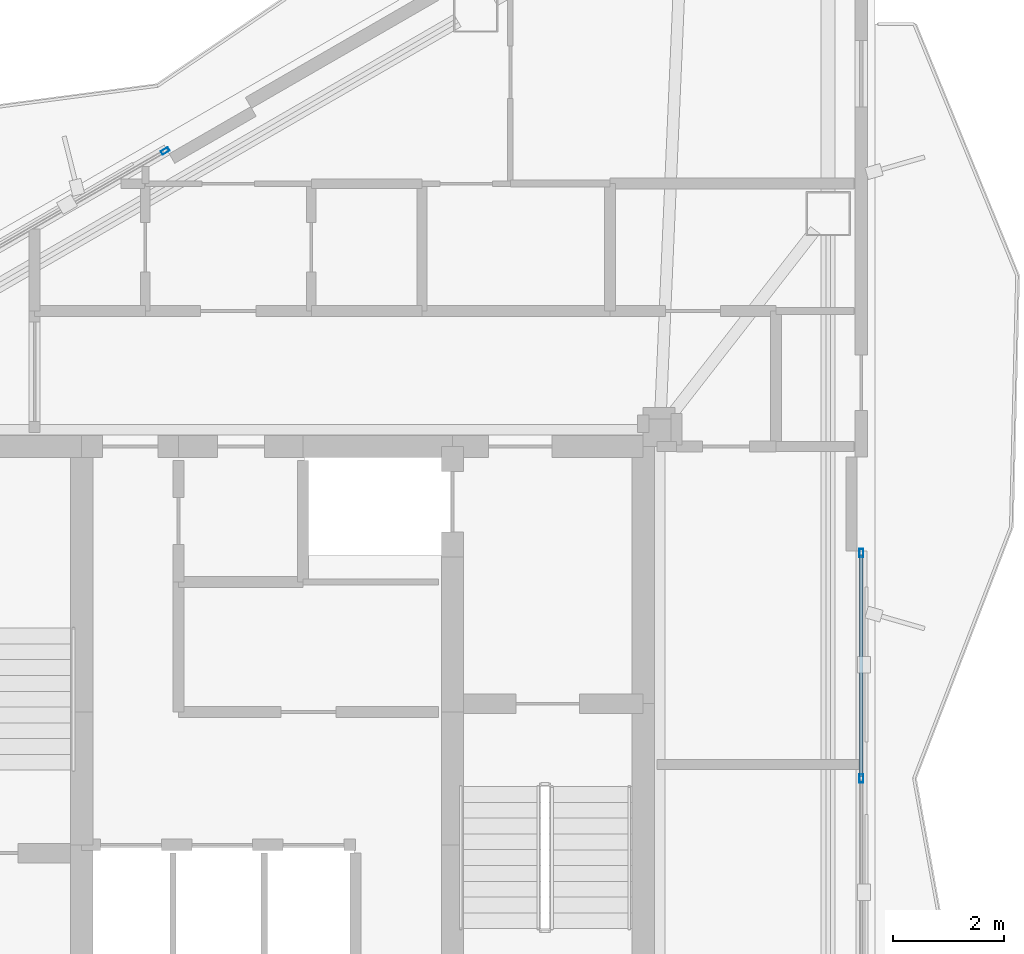
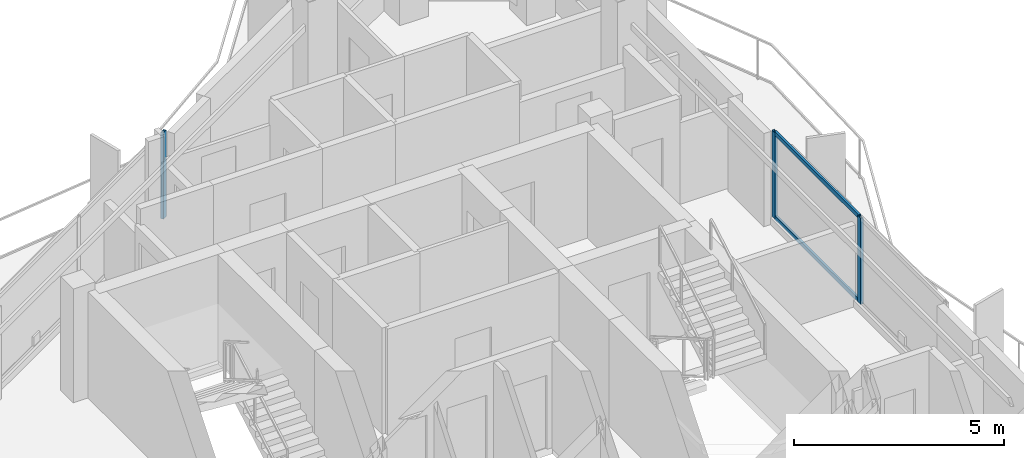
# One storey, part 12 of 18: 5 members, 2 elements without a shape of their own.
"""IFC4 building model written with IfcOpenShell, lengths in metres."""

from ifc_helpers import new_model, si_unit, direction, frame, origin, origin_2d, place, context, subcontext, project, spatial, hollow_rectangle, extrude, material, layer, layer_set, material_profile, profile_set, type_object, element, aggregate, save


model = new_model("IFC4")

# Units and contexts
model_context = context("Model", 3, precision=1e-05, world=origin(), true_north=direction((0.0, 1.0)))
body_context = subcontext(model_context, "Body", "Model", "MODEL_VIEW")
ifc_project = project(units=[si_unit("LENGTHUNIT", "METRE"), si_unit("AREAUNIT", "SQUARE_METRE"), si_unit("VOLUMEUNIT", "CUBIC_METRE"), si_unit("PLANEANGLEUNIT", "RADIAN"), si_unit("MASSUNIT", "GRAM", prefix="KILO")], contexts=[model_context])

# Site, building, storey
site_placement = place(None, origin())
site = spatial("IfcSite", under=ifc_project, at=site_placement, CompositionType="ELEMENT")
building_placement = place(site_placement, origin())
building = spatial("IfcBuilding", under=site, at=building_placement, Name="Mersakhor Tower and Convention Hall", CompositionType="ELEMENT")
storey_placement = place(building_placement, frame((0.0, 0.0, 243.0)))
storey = spatial("IfcBuildingStorey", under=building, at=storey_placement, Name="L68", CompositionType="ELEMENT", Elevation=243.0)

# Curtain wall, member
ifc_material_1 = material(Name="Dark solar low-E aluminium curtain wall", Category="aluminium")
ifc_layer = layer(ifc_material_1, 0.179931640625)
ifc_layer_set = layer_set([ifc_layer], Name="Dark solar low-E aluminium curtain wall")
curtain_wall_type = type_object("IfcCurtainWallType", Name="CW-SYS-03", PredefinedType="USERDEFINED", material=ifc_layer_set)
curtain_wall_1_placement = place(storey_placement, origin())
curtain_wall_1 = element("IfcCurtainWall", 1, at=curtain_wall_1_placement, inside=storey, type_object=curtain_wall_type, Name="L68 Dark-Glass Curtain Wall F1-B2", ObjectType="CURTAIN WALL", PredefinedType="USERDEFINED")
ifc_material_2 = material(Name="Anodised aluminium EN AW-6063 T6", Category="aluminium")
ifc_material_profile_1 = material_profile(ifc_material_2, hollow_rectangle(XDim=0.074951171875, YDim=0.14990234375, WallThickness=0.00634765625, at=origin_2d()), Name="RHS 150x75x6.3")
ifc_profile_set_1 = profile_set([ifc_material_profile_1], Name="Anodised aluminium EN AW-6063 T6")
member_type_1 = type_object("IfcMemberType", Name="CWM-150x75", PredefinedType="MULLION", material=ifc_profile_set_1)
member_1_placement = place(storey_placement, frame((27.158935546875, 38.091796875, 0.199951171875), z_axis=(0.0, 0.0, 1.0), x_axis=(-0.500004411169, 0.86602285698, 0.0)))
member_1 = element("IfcMember", 2, at=member_1_placement, type_object=member_type_1, Name="CW-03 mullion 3", PredefinedType="MULLION", context=body_context, shape_type="SweptSolid", body=[
    extrude(hollow_rectangle(XDim=0.074951171875, YDim=0.14990234375, WallThickness=0.00634765625, at=origin_2d()), origin(), (0.0, 0.0, 1.0), 2.5),
])
aggregate(curtain_wall_1, [member_1])

# Curtain wall, members
curtain_wall_2_placement = place(storey_placement, origin())
curtain_wall_2 = element("IfcCurtainWall", 3, at=curtain_wall_2_placement, inside=storey, type_object=curtain_wall_type, Name="L68 Dark-Glass Curtain Wall F2-B2", ObjectType="CURTAIN WALL", PredefinedType="USERDEFINED")
member_2_placement = place(storey_placement, frame((39.742919921875, 30.826416015625, 0.199951171875), z_axis=(0.0, 0.0, 1.0), x_axis=(1.0, 0.0, 0.0)))
member_2 = element("IfcMember", 4, at=member_2_placement, type_object=member_type_1, Name="CW-03 mullion 1", PredefinedType="MULLION", context=body_context, shape_type="SweptSolid", body=[
    extrude(hollow_rectangle(XDim=0.074951171875, YDim=0.14990234375, WallThickness=0.00634765625, at=origin_2d()), origin(), (0.0, 0.0, 1.0), 2.5),
])
member_3_placement = place(storey_placement, frame((39.742919921875, 26.75, 0.199951171875), z_axis=(0.0, 0.0, 1.0), x_axis=(1.0, 0.0, 0.0)))
member_3 = element("IfcMember", 5, at=member_3_placement, type_object=member_type_1, Name="CW-03 mullion 2", PredefinedType="MULLION", context=body_context, shape_type="SweptSolid", body=[
    extrude(hollow_rectangle(XDim=0.074951171875, YDim=0.14990234375, WallThickness=0.00634765625, at=origin_2d()), origin(), (0.0, 0.0, 1.0), 2.5),
])
ifc_material_3 = material(Name="Anodised aluminium EN AW-6063 T6", Category="aluminium")
ifc_material_profile_2 = material_profile(ifc_material_3, hollow_rectangle(XDim=0.06005859375, YDim=0.1201171875, WallThickness=0.0048828125, at=origin_2d()), Name="RHS 120x60x5")
ifc_profile_set_2 = profile_set([ifc_material_profile_2], Name="Anodised aluminium EN AW-6063 T6")
member_type_2 = type_object("IfcMemberType", Name="CWT-120x60", PredefinedType="USERDEFINED", material=ifc_profile_set_2)
member_4_placement = place(storey_placement, frame((39.742919921875, 30.788818359375, 0.22998046875), z_axis=(0.0, -1.0, 0.0), x_axis=(1.0, 0.0, 0.0)))
member_4 = element("IfcMember", 6, at=member_4_placement, type_object=member_type_2, Name="CW-03 transom 1.1", ObjectType="TRANSOM", PredefinedType="USERDEFINED", context=body_context, shape_type="SweptSolid", body=[
    extrude(hollow_rectangle(XDim=0.06005859375, YDim=0.1201171875, WallThickness=0.0048828125, at=origin_2d()), origin(), (0.0, 0.0, 1.0), 4.001220703125),
])
member_5_placement = place(storey_placement, frame((39.742919921875, 30.788818359375, 2.669921875), z_axis=(0.0, -1.0, 0.0), x_axis=(1.0, 0.0, 0.0)))
member_5 = element("IfcMember", 7, at=member_5_placement, type_object=member_type_2, Name="CW-03 transom 1.2", ObjectType="TRANSOM", PredefinedType="USERDEFINED", context=body_context, shape_type="SweptSolid", body=[
    extrude(hollow_rectangle(XDim=0.06005859375, YDim=0.1201171875, WallThickness=0.0048828125, at=origin_2d()), origin(), (0.0, 0.0, 1.0), 4.001220703125),
])
aggregate(curtain_wall_2, [member_2, member_3, member_4, member_5])

save(model, "model.ifc")
